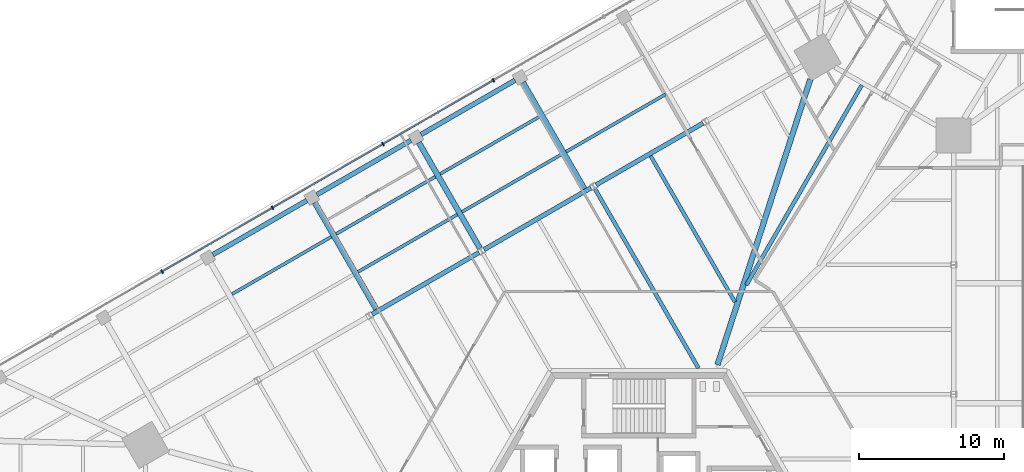
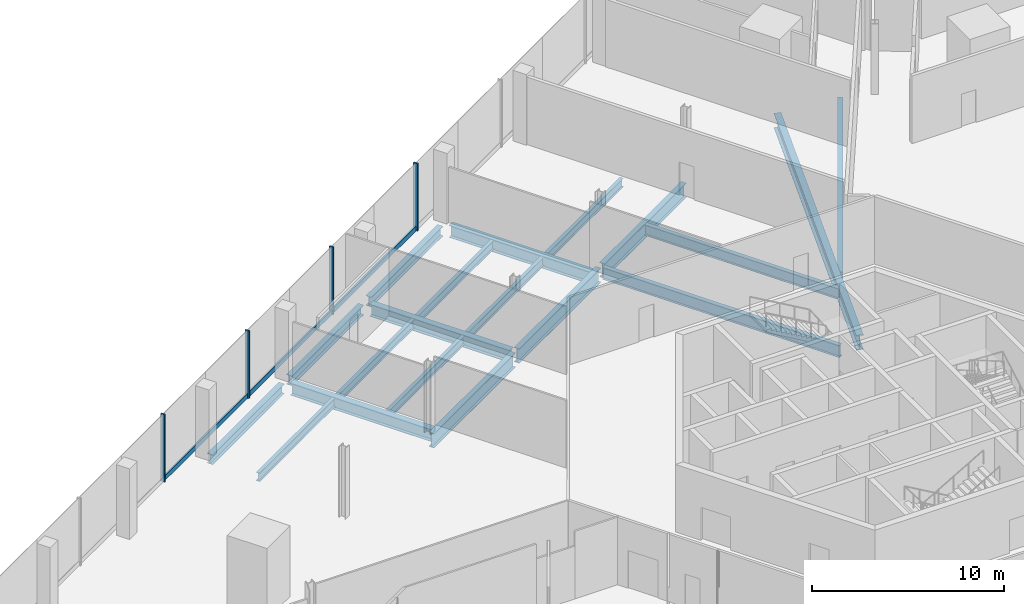
# One storey, part 13 of 25: 19 beams, 7 members, 1 element without a shape of its own.
"""IFC4 building model written with IfcOpenShell, lengths in metres."""

from ifc_helpers import new_model, si_unit, direction, frame, origin, origin_2d, place, context, subcontext, project, spatial, rectangle, i_section, extrude, source, transform, mapped, material, material_profile, profile_set, type_object, element, aggregate, save


model = new_model("IFC4")

# Units and contexts
model_context = context("Model", 3, precision=1e-05, world=origin(), true_north=direction((0.0, 1.0)))
body_context = subcontext(model_context, "Body", "Model", "MODEL_VIEW")
ifc_project = project(units=[si_unit("LENGTHUNIT", "METRE"), si_unit("AREAUNIT", "SQUARE_METRE"), si_unit("VOLUMEUNIT", "CUBIC_METRE"), si_unit("PLANEANGLEUNIT", "RADIAN"), si_unit("MASSUNIT", "GRAM", prefix="KILO")], contexts=[model_context])

# Site, building, storey
site_placement = place(None, origin())
site = spatial("IfcSite", under=ifc_project, at=site_placement, CompositionType="ELEMENT")
building_placement = place(site_placement, origin())
building = spatial("IfcBuilding", under=site, at=building_placement, Name="Triune Harvest Tower", CompositionType="ELEMENT")
storey_placement = place(building_placement, frame((0.0, 0.0, 11.5)))
storey = spatial("IfcBuildingStorey", under=building, at=storey_placement, Name="L02", CompositionType="ELEMENT", Elevation=11.5)

# Beams
ifc_material_1 = material(Name="Steel ASTM A992 Gr 50", Category="steel")
ifc_material_profile_1 = material_profile(ifc_material_1, i_section(OverallWidth=0.309814453125, OverallDepth=0.93212890625, WebThickness=0.02099609375, FlangeThickness=0.034423828125, at=origin_2d()), Name="W36x210")
ifc_profile_set_1 = profile_set([ifc_material_profile_1], Name="Steel ASTM A992 Gr 50")
beam_type_1 = type_object("IfcBeamType", Name="SB-3 Spandrel beam W36x210", PredefinedType="SPANDREL", material=ifc_profile_set_1)
shared_shape_1 = source(origin(), body_context, "Body", "SweptSolid", [
    extrude(i_section(OverallWidth=0.309814453125, OverallDepth=0.93212890625, WebThickness=0.02099609375, FlangeThickness=0.034423828125, at=origin_2d()), origin(), (0.0, 0.0, 1.0), 8.506103515625),
])
for number, where, z_axis, x_axis, name in (
    (1, (4.41796875, 27.583984375, -0.666015625), (-0.866030246746, -0.49999161165, 0.0), (0.49999161165, -0.866030246746, 0.0), "beam/L02/SB10"),
    (2, (-3.29833984375, 23.12890625, -0.666015625), (-0.866030246746, -0.49999161165, 0.0), (0.49999161165, -0.866030246746, 0.0), "beam/L02/SB11"),
    (3, (-11.0146484375, 18.674072265625, -0.666015625), (-0.866017818397, -0.500013138047, 0.0), (0.500013138047, -0.866017818397, 0.0), "beam/L02/SB12"),
):
    element("IfcBeam", number, at=place(storey_placement, frame(where, z_axis=z_axis, x_axis=x_axis)), inside=storey, type_object=beam_type_1, Name=name, PredefinedType="SPANDREL", context=body_context, shape_type="MappedRepresentation", body=[
        mapped(shared_shape_1, transform((0.0, 0.0, 0.0), scale=1.0)),
    ])
ifc_material_2 = material(Name="Steel ASTM A992 Gr 50", Category="steel")
ifc_material_profile_2 = material_profile(ifc_material_2, i_section(OverallWidth=0.383544921875, OverallDepth=0.9423828125, WebThickness=0.022216796875, FlangeThickness=0.039794921875, at=origin_2d()), Name="W36x232")
ifc_profile_set_2 = profile_set([ifc_material_profile_2], Name="Steel ASTM A992 Gr 50")
beam_type_2 = type_object("IfcBeamType", Name="HG-1 Hip girder W36x232", PredefinedType="BEAM", material=ifc_profile_set_2)
shared_shape_2 = source(origin(), body_context, "Body", "SweptSolid", [
    extrude(i_section(OverallWidth=0.383544921875, OverallDepth=0.9423828125, WebThickness=0.022216796875, FlangeThickness=0.039794921875, at=origin_2d()), origin(), (0.0, 0.0, 1.0), 20.676025390625),
])
beam_1_placement = place(storey_placement, frame((11.809814453125, 30.6044921875, -0.671142578125), z_axis=(-0.309191000288, -0.950999960747, 0.0), x_axis=(0.950999960747, -0.309191000288, 0.0)))
element("IfcBeam", 4, at=beam_1_placement, inside=storey, type_object=beam_type_2, Name="beam/L02/HG3", PredefinedType="BEAM", context=body_context, shape_type="MappedRepresentation", body=[
    mapped(shared_shape_2, transform((0.0, 0.0, 0.0), scale=1.0)),
])
ifc_material_3 = material(Name="Steel ASTM A992 Gr 50", Category="steel")
ifc_material_profile_3 = material_profile(ifc_material_3, i_section(OverallWidth=0.2666015625, OverallDepth=0.7568359375, WebThickness=0.013916015625, FlangeThickness=0.019287109375, at=origin_2d()), Name="W30x108")
ifc_profile_set_3 = profile_set([ifc_material_profile_3], Name="Steel ASTM A992 Gr 50")
beam_type_3 = type_object("IfcBeamType", Name="JT-5 Floor joist W30x108", PredefinedType="JOIST", material=ifc_profile_set_3)
shared_shape_3 = source(origin(), body_context, "Body", "SweptSolid", [
    extrude(i_section(OverallWidth=0.2666015625, OverallDepth=0.7568359375, WebThickness=0.013916015625, FlangeThickness=0.019287109375, at=origin_2d()), origin(), (0.0, 0.0, 1.0), 14.2685546875),
])
beam_2_placement = place(storey_placement, frame((-3.02197265625, 23.053955078125, -0.57861328125), z_axis=(0.499999916269, -0.866025452127, 0.0), x_axis=(0.866025452127, 0.499999916269, 0.0)))
element("IfcBeam", 5, at=beam_2_placement, inside=storey, type_object=beam_type_3, Name="beam/L02/JT17", PredefinedType="JOIST", context=body_context, shape_type="MappedRepresentation", body=[
    mapped(shared_shape_3, transform((0.0, 0.0, 0.0), scale=1.0)),
])
shared_shape_4 = source(origin(), body_context, "Body", "SweptSolid", [
    extrude(i_section(OverallWidth=0.2666015625, OverallDepth=0.7568359375, WebThickness=0.013916015625, FlangeThickness=0.019287109375, at=origin_2d()), origin(), (0.0, 0.0, 1.0), 15.905029296875),
])
beam_3_placement = place(storey_placement, frame((15.35498046875, 30.202392578125, -0.57861328125), z_axis=(-0.499993957816, -0.866028892213, 0.0), x_axis=(0.866028892213, -0.499993957816, 0.0)))
element("IfcBeam", 6, at=beam_3_placement, inside=storey, type_object=beam_type_3, Name="beam/L02/JT13", PredefinedType="JOIST", context=body_context, shape_type="MappedRepresentation", body=[
    mapped(shared_shape_4, transform((0.0, 0.0, 0.0), scale=1.0)),
])
ifc_material_4 = material(Name="Steel ASTM A992 Gr 50", Category="steel")
ifc_material_profile_4 = material_profile(ifc_material_4, i_section(OverallWidth=0.253662109375, OverallDepth=0.683349609375, WebThickness=0.012451171875, FlangeThickness=0.01904296875, at=origin_2d()), Name="W27x94")
ifc_profile_set_4 = profile_set([ifc_material_profile_4], Name="Steel ASTM A992 Gr 50")
beam_type_4 = type_object("IfcBeamType", Name="JT-4 Floor joist W27x94", PredefinedType="JOIST", material=ifc_profile_set_4)
shared_shape_5 = source(origin(), body_context, "Body", "SweptSolid", [
    extrude(i_section(OverallWidth=0.253662109375, OverallDepth=0.683349609375, WebThickness=0.012451171875, FlangeThickness=0.01904296875, at=origin_2d()), origin(), (0.0, 0.0, 1.0), 11.616455078125),
])
beam_4_placement = place(storey_placement, frame((0.81201171875, 25.3232421875, -0.54150390625), z_axis=(0.500011109571, -0.866018989576, 0.0), x_axis=(0.866018989576, 0.500011109571, 0.0)))
element("IfcBeam", 7, at=beam_4_placement, inside=storey, type_object=beam_type_4, Name="beam/L02/JT16", PredefinedType="JOIST", context=body_context, shape_type="MappedRepresentation", body=[
    mapped(shared_shape_5, transform((0.0, 0.0, 0.0), scale=1.0)),
])
ifc_material_5 = material(Name="Steel ASTM A992 Gr 50", Category="steel")
ifc_material_profile_5 = material_profile(ifc_material_5, i_section(OverallWidth=0.32763671875, OverallDepth=0.62744140625, WebThickness=0.0166015625, FlangeThickness=0.027587890625, at=origin_2d()), Name="W24x146")
ifc_profile_set_5 = profile_set([ifc_material_profile_5], Name="Steel ASTM A992 Gr 50")
beam_type_5 = type_object("IfcBeamType", Name="PD-4 Podium edge beam W24x146", PredefinedType="BEAM", material=ifc_profile_set_5)
shared_shape_6 = source(origin(), body_context, "Body", "SweptSolid", [
    extrude(i_section(OverallWidth=0.32763671875, OverallDepth=0.62744140625, WebThickness=0.0166015625, FlangeThickness=0.027587890625, at=origin_2d()), origin(), (0.0, 0.0, 1.0), 7.47998046875),
])
beam_5_placement = place(storey_placement, frame((-8.533203125, 30.5400390625, -0.513671875), z_axis=(-0.866023067432, -0.500004046659, 0.0), x_axis=(0.500004046659, -0.866023067432, 0.0)))
element("IfcBeam", 8, at=beam_5_placement, inside=storey, type_object=beam_type_5, Name="beam/L02/PE18", PredefinedType="BEAM", context=body_context, shape_type="MappedRepresentation", body=[
    mapped(shared_shape_6, transform((0.0, 0.0, 0.0), scale=1.0)),
])
shared_shape_7 = source(origin(), body_context, "Body", "SweptSolid", [
    extrude(i_section(OverallWidth=0.32763671875, OverallDepth=0.62744140625, WebThickness=0.0166015625, FlangeThickness=0.027587890625, at=origin_2d()), origin(), (0.0, 0.0, 1.0), 7.480224609375),
])
for number, where, z_axis, x_axis, name in (
    (9, (-15.703857421875, 26.39990234375, -0.513671875), (-0.866031227086, -0.49998991361, 0.0), (0.49998991361, -0.866031227086, 0.0), "beam/L02/PE19"),
    (10, (-22.87451171875, 22.260009765625, -0.513671875), (-0.866031227086, -0.49998991361, 0.0), (0.49998991361, -0.866031227086, 0.0), "beam/L02/PE20"),
):
    element("IfcBeam", number, at=place(storey_placement, frame(where, z_axis=z_axis, x_axis=x_axis)), inside=storey, type_object=beam_type_5, Name=name, PredefinedType="BEAM", context=body_context, shape_type="MappedRepresentation", body=[
        mapped(shared_shape_7, transform((0.0, 0.0, 0.0), scale=1.0)),
    ])
ifc_material_6 = material(Name="Steel ASTM A992 Gr 50", Category="steel")
ifc_material_profile_6 = material_profile(ifc_material_6, i_section(OverallWidth=0.381103515625, OverallDepth=0.772216796875, WebThickness=0.0166015625, FlangeThickness=0.027099609375, at=origin_2d()), Name="W30x173")
ifc_profile_set_6 = profile_set([ifc_material_profile_6], Name="Steel ASTM A992 Gr 50")
beam_type_6 = type_object("IfcBeamType", Name="PD-3 Podium girder W30x173", PredefinedType="BEAM", material=ifc_profile_set_6)
shared_shape_8 = source(origin(), body_context, "Body", "SweptSolid", [
    extrude(i_section(OverallWidth=0.381103515625, OverallDepth=0.772216796875, WebThickness=0.0166015625, FlangeThickness=0.027099609375, at=origin_2d()), origin(), (0.0, 0.0, 1.0), 8.432373046875),
])
beam_6_placement = place(storey_placement, frame((-15.157470703125, 26.253662109375, -0.586181640625), z_axis=(0.49998477255, -0.866034195178, 0.0), x_axis=(0.866034195178, 0.49998477255, 0.0)))
element("IfcBeam", 11, at=beam_6_placement, inside=storey, type_object=beam_type_6, Name="beam/L02/PR21", PredefinedType="BEAM", context=body_context, shape_type="MappedRepresentation", body=[
    mapped(shared_shape_8, transform((0.0, 0.0, 0.0), scale=1.0)),
])
shared_shape_9 = source(origin(), body_context, "Body", "SweptSolid", [
    extrude(i_section(OverallWidth=0.381103515625, OverallDepth=0.772216796875, WebThickness=0.0166015625, FlangeThickness=0.027099609375, at=origin_2d()), origin(), (0.0, 0.0, 1.0), 8.48046875),
])
for number, where, z_axis, x_axis, name in (
    (12, (-7.98681640625, 30.3935546875, -0.586181640625), (0.500003221507, -0.866023543838, 0.0), (0.866023543838, 0.500003221507, 0.0), "beam/L02/PR20"),
    (13, (-22.328125, 22.113525390625, -0.586181640625), (0.500003221507, -0.866023543838, 0.0), (0.866023543838, 0.500003221507, 0.0), "beam/L02/PR22"),
):
    element("IfcBeam", number, at=place(storey_placement, frame(where, z_axis=z_axis, x_axis=x_axis)), inside=storey, type_object=beam_type_6, Name=name, PredefinedType="BEAM", context=body_context, shape_type="MappedRepresentation", body=[
        mapped(shared_shape_9, transform((0.0, 0.0, 0.0), scale=1.0)),
    ])
ifc_material_7 = material(Name="Steel ASTM A992 Gr 50", Category="steel")
ifc_material_profile_7 = material_profile(ifc_material_7, i_section(OverallWidth=0.2138671875, OverallDepth=0.548583984375, WebThickness=0.0146484375, FlangeThickness=0.023681640625, at=origin_2d()), Name="W21x93")
ifc_profile_set_7 = profile_set([ifc_material_profile_7], Name="Steel ASTM A992 Gr 50")
beam_type_7 = type_object("IfcBeamType", Name="PD-5 Podium joist W21x93", PredefinedType="JOIST", material=ifc_profile_set_7)
shared_shape_10 = source(origin(), body_context, "Body", "SweptSolid", [
    extrude(i_section(OverallWidth=0.2138671875, OverallDepth=0.548583984375, WebThickness=0.0146484375, FlangeThickness=0.023681640625, at=origin_2d()), origin(), (0.0, 0.0, 1.0), 7.89892578125),
])
for number, where, z_axis, x_axis, name in (
    (14, (-6.845947265625, 28.036376953125, -0.474365234375), (-0.866022421773, -0.50000516496, 0.0), (0.50000516496, -0.866022421773, 0.0), "beam/L02/PJ37"),
    (15, (-5.340087890625, 25.427978515625, -0.474365234375), (-0.866022421773, -0.50000516496, 0.0), (0.50000516496, -0.866022421773, 0.0), "beam/L02/PJ38"),
):
    element("IfcBeam", number, at=place(storey_placement, frame(where, z_axis=z_axis, x_axis=x_axis)), inside=storey, type_object=beam_type_7, Name=name, PredefinedType="JOIST", context=body_context, shape_type="MappedRepresentation", body=[
        mapped(shared_shape_10, transform((0.0, 0.0, 0.0), scale=1.0)),
    ])
shared_shape_11 = source(origin(), body_context, "Body", "SweptSolid", [
    extrude(i_section(OverallWidth=0.2138671875, OverallDepth=0.548583984375, WebThickness=0.0146484375, FlangeThickness=0.023681640625, at=origin_2d()), origin(), (0.0, 0.0, 1.0), 7.899169921875),
])
for number, where, z_axis, x_axis, name in (
    (16, (1.830810546875, 29.568115234375, -0.474365234375), (-0.866030148722, -0.499991781437, 0.0), (0.499991781437, -0.866030148722, 0.0), "beam/L02/PJ36"),
    (17, (-14.0166015625, 23.896484375, -0.474365234375), (-0.866030148722, -0.499991781437, 0.0), (0.499991781437, -0.866030148722, 0.0), "beam/L02/PJ39"),
    (18, (-12.510498046875, 21.2880859375, -0.474365234375), (-0.866030148722, -0.499991781437, 0.0), (0.499991781437, -0.866030148722, 0.0), "beam/L02/PJ40"),
    (19, (-21.187255859375, 19.75634765625, -0.474365234375), (-0.866030148722, -0.499991781437, 0.0), (0.499991781437, -0.866030148722, 0.0), "beam/L02/PJ41"),
):
    element("IfcBeam", number, at=place(storey_placement, frame(where, z_axis=z_axis, x_axis=x_axis)), inside=storey, type_object=beam_type_7, Name=name, PredefinedType="JOIST", context=body_context, shape_type="MappedRepresentation", body=[
        mapped(shared_shape_11, transform((0.0, 0.0, 0.0), scale=1.0)),
    ])

# Curtain wall, members
ifc_material_8 = material(Name="Aluminium bronze anodised", Category="aluminium")
curtain_wall_type = type_object("IfcCurtainWallType", Name="CW-2 Podium shopfront wall", PredefinedType="NOTDEFINED", material=ifc_material_8)
curtain_wall_placement = place(storey_placement, origin())
curtain_wall = element("IfcCurtainWall", 20, at=curtain_wall_placement, inside=storey, type_object=curtain_wall_type, Name="CW-2 PD-F3 L02 run 1")
ifc_material_9 = material(Name="Aluminium bronze anodised", Category="aluminium")
ifc_material_profile_8 = material_profile(ifc_material_9, rectangle(XDim=0.25, YDim=0.090087890625, at=origin_2d()), Name="MU-2 mullion 90 x 250")
ifc_profile_set_8 = profile_set([ifc_material_profile_8], Name="Aluminium bronze anodised")
member_type_1 = type_object("IfcMemberType", Name="MU-2 mullion 90 x 250", PredefinedType="MULLION", material=ifc_profile_set_8)
shared_shape_12 = source(origin(), body_context, "Body", "SweptSolid", [
    extrude(rectangle(XDim=0.25, YDim=0.090087890625, at=origin_2d()), origin(), (0.0, 0.0, 1.0), 4.300048828125),
])
member_1_placement = place(storey_placement, frame((-10.02001953125, 30.53515625, 0.0), z_axis=(0.0, 0.0, 1.0), x_axis=(0.500000221117, -0.866025276122, 0.0)))
member_1 = element("IfcMember", 21, at=member_1_placement, type_object=member_type_1, Name="CW-2 mullion PD-F3 1.9", PredefinedType="MULLION", context=body_context, shape_type="MappedRepresentation", body=[
    mapped(shared_shape_12, transform((0.0, 0.0, 0.0), scale=1.0)),
])
member_2_placement = place(storey_placement, frame((-17.629638671875, 26.141845703125, 0.0), z_axis=(0.0, 0.0, 1.0), x_axis=(0.500000221117, -0.866025276122, 0.0)))
member_2 = element("IfcMember", 22, at=member_2_placement, type_object=member_type_1, Name="CW-2 mullion PD-F3 1.11", PredefinedType="MULLION", context=body_context, shape_type="MappedRepresentation", body=[
    mapped(shared_shape_12, transform((0.0, 0.0, 0.0), scale=1.0)),
])
member_3_placement = place(storey_placement, frame((-25.239013671875, 21.74853515625, 0.0), z_axis=(0.0, 0.0, 1.0), x_axis=(0.500000221117, -0.866025276122, 0.0)))
member_3 = element("IfcMember", 23, at=member_3_placement, type_object=member_type_1, Name="CW-2 mullion PD-F3 1.13", PredefinedType="MULLION", context=body_context, shape_type="MappedRepresentation", body=[
    mapped(shared_shape_12, transform((0.0, 0.0, 0.0), scale=1.0)),
])
member_4_placement = place(storey_placement, frame((-32.8486328125, 17.355224609375, 0.0), z_axis=(0.0, 0.0, 1.0), x_axis=(0.500000221117, -0.866025276122, 0.0)))
member_4 = element("IfcMember", 24, at=member_4_placement, type_object=member_type_1, Name="CW-2 mullion PD-F3 1.15", PredefinedType="MULLION", context=body_context, shape_type="MappedRepresentation", body=[
    mapped(shared_shape_12, transform((0.0, 0.0, 0.0), scale=1.0)),
])
ifc_material_10 = material(Name="Aluminium bronze anodised", Category="aluminium")
ifc_material_profile_9 = material_profile(ifc_material_10, rectangle(XDim=0.10009765625, YDim=0.300048828125, at=origin_2d()), Name="TR-2 transom 100 x 300")
ifc_profile_set_9 = profile_set([ifc_material_profile_9], Name="Aluminium bronze anodised")
member_type_2 = type_object("IfcMemberType", Name="TR-2 transom 100 x 300", PredefinedType="USERDEFINED", material=ifc_profile_set_9)
shared_shape_13 = source(origin(), body_context, "Body", "SweptSolid", [
    extrude(rectangle(XDim=0.10009765625, YDim=0.300048828125, at=origin_2d()), origin(), (0.0, 0.0, 1.0), 8.69677734375),
])
member_5_placement = place(storey_placement, frame((-10.05908203125, 30.5126953125, 0.14990234375), z_axis=(-0.86602149507, -0.500006770031, 0.0), x_axis=(0.500006770031, -0.86602149507, 0.0)))
member_5 = element("IfcMember", 25, at=member_5_placement, type_object=member_type_2, Name="CW-2 transom PD-F3 1.5", ObjectType="TRANSOM", PredefinedType="USERDEFINED", context=body_context, shape_type="MappedRepresentation", body=[
    mapped(shared_shape_13, transform((0.0, 0.0, 0.0), scale=1.0)),
])
member_6_placement = place(storey_placement, frame((-17.66845703125, 26.119384765625, 0.14990234375), z_axis=(-0.86602149507, -0.500006770031, 0.0), x_axis=(0.500006770031, -0.86602149507, 0.0)))
member_6 = element("IfcMember", 26, at=member_6_placement, type_object=member_type_2, Name="CW-2 transom PD-F3 1.6", ObjectType="TRANSOM", PredefinedType="USERDEFINED", context=body_context, shape_type="MappedRepresentation", body=[
    mapped(shared_shape_13, transform((0.0, 0.0, 0.0), scale=1.0)),
])
member_7_placement = place(storey_placement, frame((-25.278076171875, 21.72607421875, 0.14990234375), z_axis=(-0.86602149507, -0.500006770031, 0.0), x_axis=(0.500006770031, -0.86602149507, 0.0)))
member_7 = element("IfcMember", 27, at=member_7_placement, type_object=member_type_2, Name="CW-2 transom PD-F3 1.7", ObjectType="TRANSOM", PredefinedType="USERDEFINED", context=body_context, shape_type="MappedRepresentation", body=[
    mapped(shared_shape_13, transform((0.0, 0.0, 0.0), scale=1.0)),
])
aggregate(curtain_wall, [member_1, member_2, member_3, member_4, member_5, member_6, member_7])

save(model, "model.ifc")
